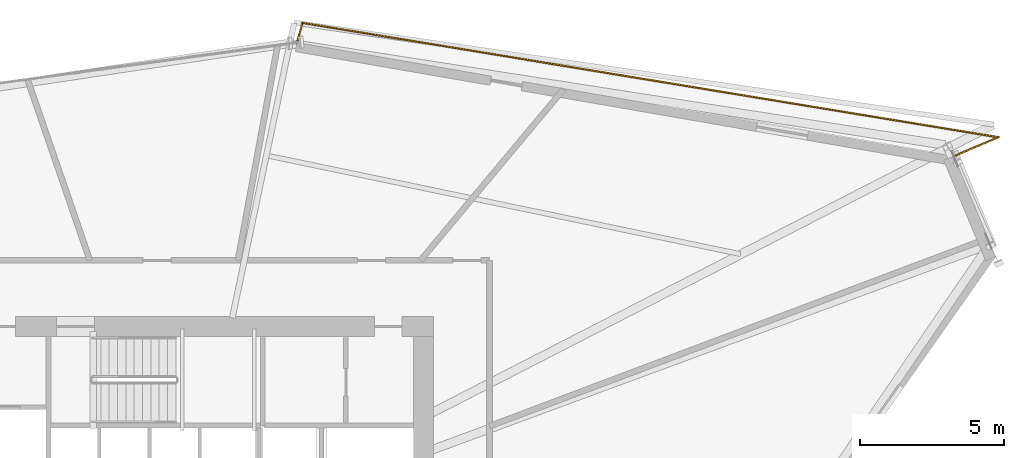
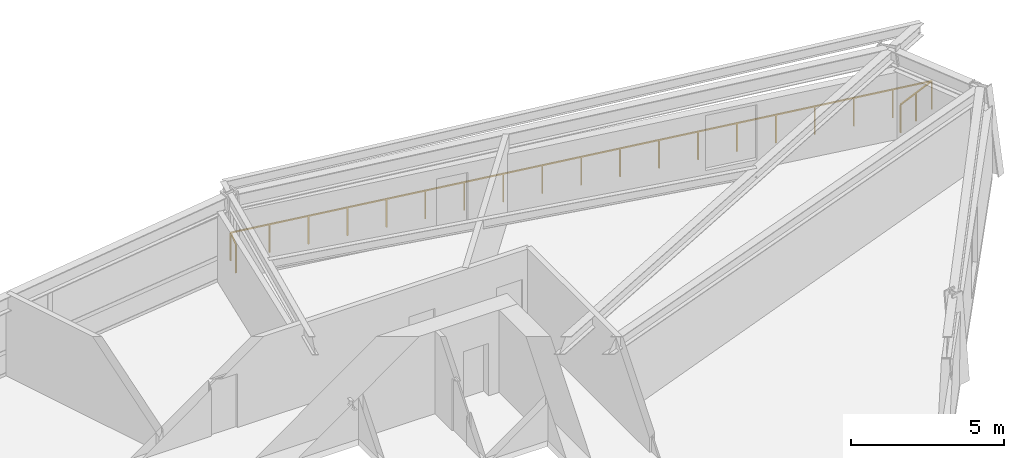
# One storey, part 16 of 16: 1 railing.
"""IFC4 building model written with IfcOpenShell, lengths in metres."""

import ifcopenshell
import ifcopenshell.guid

model = None  # the IFC model being written
_history = None  # IfcOwnerHistory: only IFC2X3 demands one
_inside = {}  # id of a spatial element -> (the spatial element, [elements in it])
_under = {}  # id of a project, library or spatial element -> (it, [spatial elements below it])
_declared = {}  # id of a project -> (the project, [libraries it declares])
_typed = {}  # id of a type object -> (the type object, [elements of that type])
_made_of = {}  # id of a material, layer set ... -> (it, [elements and type objects made of it])


def new_model(schema):
    """Start an empty IFC model of exactly this schema.

    Asked for "IFC4X3", IfcOpenShell would pick the latest addendum, in which some entities
    have other attributes; the version numbers below select the first issue.
    IFC2X3 requires an IfcOwnerHistory on every rooted entity: one is made here for all.
    """
    global model, _history
    if schema == "IFC4X3":
        model = ifcopenshell.file(schema_version=(4, 3, 0, 0))
    else:
        model = ifcopenshell.file(schema=schema)
    _inside.clear()
    _under.clear()
    _declared.clear()
    _typed.clear()
    _made_of.clear()
    _history = None
    if model.schema == "IFC2X3":
        org = make("IfcOrganization", Name="unknown")
        user = make(
            "IfcPersonAndOrganization",
            ThePerson=make("IfcPerson", FamilyName="unknown"),
            TheOrganization=org,
        )
        app = make(
            "IfcApplication",
            ApplicationDeveloper=org,
            Version="unknown",
            ApplicationFullName="unknown",
            ApplicationIdentifier="unknown",
        )
        _history = make(
            "IfcOwnerHistory",
            OwningUser=user,
            OwningApplication=app,
            ChangeAction="ADDED",
            CreationDate=0,
        )
    return model


def make(cls, **values):
    """One entity of the class cls with the attributes given. An attribute that is None is left unset."""
    return model.create_entity(
        cls, **{name: value for name, value in values.items() if value is not None}
    )


def rooted(cls, **values):
    """An entity with a GlobalId (a new one), such as an element, a storey or a relation."""
    return make(cls, GlobalId=ifcopenshell.guid.new(), OwnerHistory=_history, **values)


def si_unit(unit_type, name, prefix=None):
    """IfcSIUnit, for example si_unit("LENGTHUNIT", "METRE", prefix="MILLI")."""
    return make("IfcSIUnit", UnitType=unit_type, Prefix=prefix, Name=name)


def assignment(units):
    """IfcUnitAssignment: the units of a project."""
    return None if units is None else make("IfcUnitAssignment", Units=units)


def point(xyz):
    """IfcCartesianPoint."""
    return None if xyz is None else make("IfcCartesianPoint", Coordinates=xyz)


def direction(xyz):
    """IfcDirection."""
    return None if xyz is None else make("IfcDirection", DirectionRatios=xyz)


def frame(location, z_axis=None, x_axis=None):
    """IfcAxis2Placement3D, a coordinate frame: its origin and axes. An axis left out is left unset."""
    return make(
        "IfcAxis2Placement3D",
        Location=point(location),
        Axis=direction(z_axis),
        RefDirection=direction(x_axis),
    )


def frame_2d(location, x_axis=None):
    """IfcAxis2Placement2D, a coordinate frame in the plane: its origin and x axis."""
    return make(
        "IfcAxis2Placement2D", Location=point(location), RefDirection=direction(x_axis)
    )


def origin():
    """The frame at (0, 0, 0) with its axes left unset."""
    return frame((0.0, 0.0, 0.0))


def origin_2d():
    """The frame at (0, 0) in the plane with its x axis left unset."""
    return frame_2d((0.0, 0.0))


def place(relative_to, where):
    """IfcLocalPlacement: puts the frame where relative to a parent placement (None: the world)."""
    return make(
        "IfcLocalPlacement", PlacementRelTo=relative_to, RelativePlacement=where
    )


def context(
    kind, dimensions, precision=None, world=None, true_north=None, identifier=None
):
    """IfcGeometricRepresentationContext, for example the 3D "Model" context."""
    return make(
        "IfcGeometricRepresentationContext",
        ContextIdentifier=identifier,
        ContextType=kind,
        CoordinateSpaceDimension=dimensions,
        Precision=precision,
        WorldCoordinateSystem=world,
        TrueNorth=true_north,
    )


def subcontext(parent, identifier, kind, view, scale=None):
    """IfcGeometricRepresentationSubContext, for example "Body" below "Model"."""
    return make(
        "IfcGeometricRepresentationSubContext",
        ContextIdentifier=identifier,
        ContextType=kind,
        ParentContext=parent,
        TargetScale=scale,
        TargetView=view,
    )


def project(units=None, contexts=None):
    """IfcProject with its units and contexts."""
    return rooted(
        "IfcProject",
        Name="project",
        RepresentationContexts=contexts,
        UnitsInContext=assignment(units),
    )


def spatial(cls, under=None, at=None, **own):
    """A site, building, storey or space (cls), placed at a placement, below another one or the project."""
    s = rooted(cls, ObjectPlacement=at, **own)
    if under is not None:
        _under.setdefault(under.id(), (under, []))[1].append(s)
    return s


def profile(cls, at=None, kind="AREA", **sizes):
    """A parametric profile (cls). Its sizes go by their IFC names, for example OverallWidth=200.0."""
    return make(cls, ProfileType=kind, Position=at, **sizes)


def rectangle(**sizes):
    """IfcRectangleProfileDef."""
    return profile("IfcRectangleProfileDef", **sizes)


def extrude(swept, where, along, depth):
    """IfcExtrudedAreaSolid: the profile swept, set in the frame where, extruded along a direction by depth."""
    return make(
        "IfcExtrudedAreaSolid",
        SweptArea=swept,
        Position=where,
        ExtrudedDirection=direction(along),
        Depth=depth,
    )


def shape(context_of_items, identifier, shape_type, items):
    """IfcShapeRepresentation: the items that make up one representation, for example the "Body"."""
    return make(
        "IfcShapeRepresentation",
        ContextOfItems=context_of_items,
        RepresentationIdentifier=identifier,
        RepresentationType=shape_type,
        Items=items,
    )


def material(Name=None, Category=None):
    """IfcMaterial."""
    return make("IfcMaterial", Name=Name, Category=Category)


def made_of(thing, what):
    """Note that an element or type object is made of a material, layer set ...; save() writes the relation."""
    if what is not None:
        _made_of.setdefault(what.id(), (what, []))[1].append(thing)
    return thing


def type_object(cls, material=None, **own):
    """A type object (cls), such as IfcWallType, which elements share."""
    return made_of(rooted(cls, **own), material)


def element(
    cls,
    number,
    at=None,
    inside=None,
    cuts=None,
    type_object=None,
    material=None,
    context=None,
    identifier="Body",
    shape_type=None,
    held_by="IfcProductDefinitionShape",
    body=None,
    shapes=None,
    **own,
):
    """One element of the class cls, such as IfcWall. Its Tag is "e" and its number.

    at: its placement. inside: the storey or other place that contains it. cuts: it is an
    opening in that element (IfcRelVoidsElement). A single representation is given by context,
    identifier, shape_type and body (its items); several are given by shapes. held_by: the class
    of the entity that holds the representations. save() writes the other relations.
    """
    e = rooted(cls, Tag="e%d" % number, ObjectPlacement=at, **own)
    if body is not None:
        shapes = [shape(context, identifier, shape_type, body)]
    if shapes is not None:
        e.Representation = make(held_by, Representations=shapes)
    if inside is not None:
        _inside.setdefault(inside.id(), (inside, []))[1].append(e)
    if cuts is not None:
        rooted(
            "IfcRelVoidsElement", RelatingBuildingElement=cuts, RelatedOpeningElement=e
        )
    if type_object is not None:
        _typed.setdefault(type_object.id(), (type_object, []))[1].append(e)
    return made_of(e, material)


def aggregate(whole, parts):
    """IfcRelAggregates: a whole, such as a stair, and the parts it consists of."""
    return rooted("IfcRelAggregates", RelatingObject=whole, RelatedObjects=parts)


def save(model, path):
    """Write the relations noted so far, then the file.

    IfcRelAggregates (storeys below a building ...), IfcRelContainedInSpatialStructure (elements
    in a storey), IfcRelDefinesByType, IfcRelAssociatesMaterial and IfcRelDeclares: one each for
    every whole, place, type object, material and project.
    """
    for whole, parts in _under.values():
        aggregate(whole, parts)
    for where, things in _inside.values():
        rooted(
            "IfcRelContainedInSpatialStructure",
            RelatedElements=things,
            RelatingStructure=where,
        )
    for kind, things in _typed.values():
        rooted("IfcRelDefinesByType", RelatedObjects=things, RelatingType=kind)
    for what, things in _made_of.values():
        rooted("IfcRelAssociatesMaterial", RelatedObjects=things, RelatingMaterial=what)
    for by, libraries in _declared.values():
        rooted("IfcRelDeclares", RelatingContext=by, RelatedDefinitions=libraries)
    model.write(path)


model = new_model("IFC4")

# Units and contexts
model_context = context("Model", 3, precision=1e-05, world=origin(), true_north=direction((0.0, 1.0)))
body_context = subcontext(model_context, "Body", "Model", "MODEL_VIEW")
ifc_project = project(units=[si_unit("LENGTHUNIT", "METRE"), si_unit("AREAUNIT", "SQUARE_METRE"), si_unit("VOLUMEUNIT", "CUBIC_METRE"), si_unit("PLANEANGLEUNIT", "RADIAN"), si_unit("MASSUNIT", "GRAM", prefix="KILO")], contexts=[model_context])

# Site, building, storey
site_placement = place(None, origin())
site = spatial("IfcSite", under=ifc_project, at=site_placement, CompositionType="ELEMENT")
building_placement = place(site_placement, origin())
building = spatial("IfcBuilding", under=site, at=building_placement, Name="Olszyna Solenne Hotel", CompositionType="ELEMENT")
storey_placement = place(building_placement, frame((0.0, 0.0, 127.0)))
storey = spatial("IfcBuildingStorey", under=building, at=storey_placement, Name="L33", CompositionType="ELEMENT", Elevation=127.0)

# Railing
ifc_material = material(Name="Anodised bronze aluminium", Category="aluminium")
railing_type = type_object("IfcRailingType", Name="GR-110", PredefinedType="BALUSTRADE", material=ifc_material)
railing_placement = place(storey_placement, frame((64.705078125, 39.97119140625, 0.0)))
element("IfcRailing", 1, at=railing_placement, inside=storey, type_object=railing_type, Name="Loggia balcony balustrade guard GR-L33-LG1", PredefinedType="BALUSTRADE", context=body_context, shape_type="SweptSolid", body=[
    extrude(rectangle(XDim=0.048095703125, YDim=0.048095703125, at=origin_2d()), frame((0.0, 0.0, 1.1259765625), z_axis=(0.921044903061, 0.389456398772, 0.0), x_axis=(-0.389456398772, 0.921044903061, 0.0)), (0.0, 0.0, 1.0), 1.69189453125),
    extrude(rectangle(XDim=0.048095703125, YDim=0.048095703125, at=origin_2d()), frame((1.558349609375, 0.658935546875, 1.1259765625), z_axis=(-0.986760153926, 0.162186308377, 0.0), x_axis=(-0.162186308377, -0.986760153926, 0.0)), (0.0, 0.0, 1.0), 24.55322265625),
    extrude(rectangle(XDim=0.048095703125, YDim=0.048095703125, at=origin_2d()), frame((-22.669677734375, 4.64111328125, 1.1259765625), z_axis=(-0.264748368992, -0.964317531271, 0.0), x_axis=(0.964317531271, -0.264748368992, 0.0)), (0.0, 0.0, 1.0), 0.709228515625),
    extrude(rectangle(XDim=0.0419921875, YDim=0.0419921875, at=origin_2d()), origin(), (0.0, 0.0, 1.0), 1.101806640625),
    extrude(rectangle(XDim=0.0419921875, YDim=0.0419921875, at=origin_2d()), frame((0.779296875, 0.32958984375, 0.0)), (0.0, 0.0, 1.0), 1.101806640625),
    extrude(rectangle(XDim=0.0419921875, YDim=0.0419921875, at=origin_2d()), frame((1.558349609375, 0.658935546875, 0.0)), (0.0, 0.0, 1.0), 1.101806640625),
    extrude(rectangle(XDim=0.0419921875, YDim=0.0419921875, at=origin_2d()), frame((0.21240234375, 0.880126953125, 0.0)), (0.0, 0.0, 1.0), 1.101806640625),
    extrude(rectangle(XDim=0.0419921875, YDim=0.0419921875, at=origin_2d()), frame((-1.133544921875, 1.101318359375, 0.0)), (0.0, 0.0, 1.0), 1.101806640625),
    extrude(rectangle(XDim=0.0419921875, YDim=0.0419921875, at=origin_2d()), frame((-2.479736328125, 1.32275390625, 0.0)), (0.0, 0.0, 1.0), 1.101806640625),
    extrude(rectangle(XDim=0.0419921875, YDim=0.0419921875, at=origin_2d()), frame((-3.82568359375, 1.5439453125, 0.0)), (0.0, 0.0, 1.0), 1.101806640625),
    extrude(rectangle(XDim=0.0419921875, YDim=0.0419921875, at=origin_2d()), frame((-5.171630859375, 1.76513671875, 0.0)), (0.0, 0.0, 1.0), 1.101806640625),
    extrude(rectangle(XDim=0.0419921875, YDim=0.0419921875, at=origin_2d()), frame((-6.517578125, 1.986328125, 0.0)), (0.0, 0.0, 1.0), 1.101806640625),
    extrude(rectangle(XDim=0.0419921875, YDim=0.0419921875, at=origin_2d()), frame((-7.86376953125, 2.20751953125, 0.0)), (0.0, 0.0, 1.0), 1.101806640625),
    extrude(rectangle(XDim=0.0419921875, YDim=0.0419921875, at=origin_2d()), frame((-9.209716796875, 2.4287109375, 0.0)), (0.0, 0.0, 1.0), 1.101806640625),
    extrude(rectangle(XDim=0.0419921875, YDim=0.0419921875, at=origin_2d()), frame((-10.5556640625, 2.64990234375, 0.0)), (0.0, 0.0, 1.0), 1.101806640625),
    extrude(rectangle(XDim=0.0419921875, YDim=0.0419921875, at=origin_2d()), frame((-11.901611328125, 2.871337890625, 0.0)), (0.0, 0.0, 1.0), 1.101806640625),
    extrude(rectangle(XDim=0.0419921875, YDim=0.0419921875, at=origin_2d()), frame((-13.24755859375, 3.092529296875, 0.0)), (0.0, 0.0, 1.0), 1.101806640625),
    extrude(rectangle(XDim=0.0419921875, YDim=0.0419921875, at=origin_2d()), frame((-14.59375, 3.313720703125, 0.0)), (0.0, 0.0, 1.0), 1.101806640625),
    extrude(rectangle(XDim=0.0419921875, YDim=0.0419921875, at=origin_2d()), frame((-15.939697265625, 3.534912109375, 0.0)), (0.0, 0.0, 1.0), 1.101806640625),
    extrude(rectangle(XDim=0.0419921875, YDim=0.0419921875, at=origin_2d()), frame((-17.28564453125, 3.756103515625, 0.0)), (0.0, 0.0, 1.0), 1.101806640625),
    extrude(rectangle(XDim=0.0419921875, YDim=0.0419921875, at=origin_2d()), frame((-18.631591796875, 3.9775390625, 0.0)), (0.0, 0.0, 1.0), 1.101806640625),
    extrude(rectangle(XDim=0.0419921875, YDim=0.0419921875, at=origin_2d()), frame((-19.977783203125, 4.19873046875, 0.0)), (0.0, 0.0, 1.0), 1.101806640625),
    extrude(rectangle(XDim=0.0419921875, YDim=0.0419921875, at=origin_2d()), frame((-21.32373046875, 4.419921875, 0.0)), (0.0, 0.0, 1.0), 1.101806640625),
    extrude(rectangle(XDim=0.0419921875, YDim=0.0419921875, at=origin_2d()), frame((-22.669677734375, 4.64111328125, 0.0)), (0.0, 0.0, 1.0), 1.101806640625),
    extrude(rectangle(XDim=0.0419921875, YDim=0.0419921875, at=origin_2d()), frame((-22.857421875, 3.957275390625, 0.0)), (0.0, 0.0, 1.0), 1.101806640625),
])

save(model, "model.ifc")
